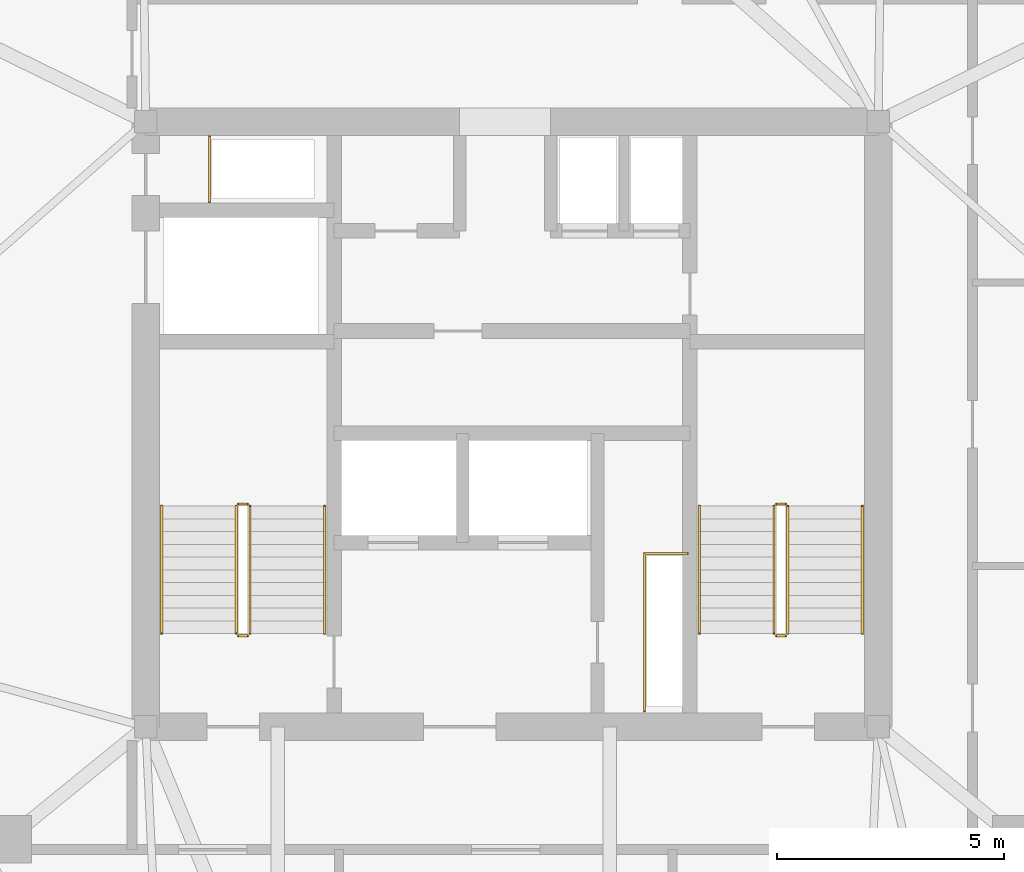
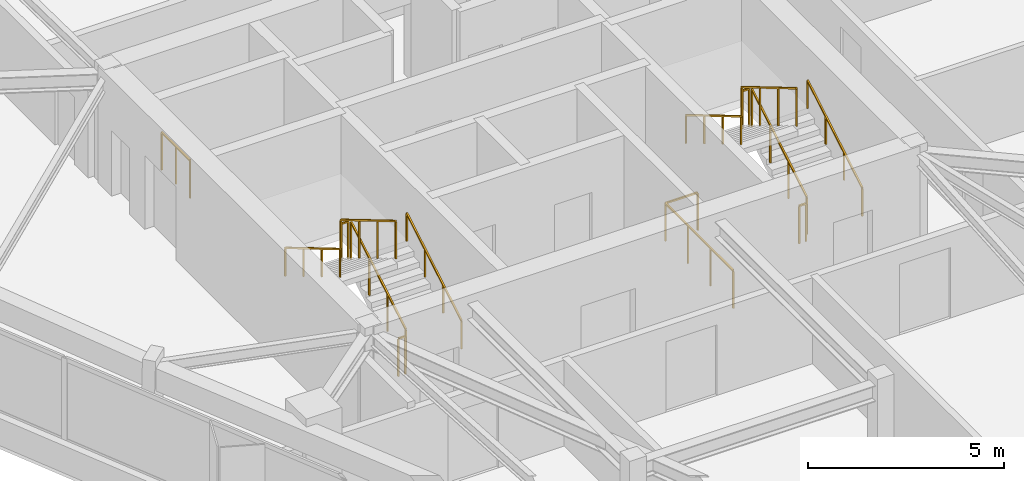
# One storey, part 9 of 9: 14 railings.
"""IFC4 building model written with IfcOpenShell, lengths in metres."""

import ifcopenshell
import ifcopenshell.guid

model = None  # the IFC model being written
_history = None  # IfcOwnerHistory: only IFC2X3 demands one
_inside = {}  # id of a spatial element -> (the spatial element, [elements in it])
_under = {}  # id of a project, library or spatial element -> (it, [spatial elements below it])
_declared = {}  # id of a project -> (the project, [libraries it declares])
_typed = {}  # id of a type object -> (the type object, [elements of that type])
_made_of = {}  # id of a material, layer set ... -> (it, [elements and type objects made of it])


def new_model(schema):
    """Start an empty IFC model of exactly this schema.

    Asked for "IFC4X3", IfcOpenShell would pick the latest addendum, in which some entities
    have other attributes; the version numbers below select the first issue.
    IFC2X3 requires an IfcOwnerHistory on every rooted entity: one is made here for all.
    """
    global model, _history
    if schema == "IFC4X3":
        model = ifcopenshell.file(schema_version=(4, 3, 0, 0))
    else:
        model = ifcopenshell.file(schema=schema)
    _inside.clear()
    _under.clear()
    _declared.clear()
    _typed.clear()
    _made_of.clear()
    _history = None
    if model.schema == "IFC2X3":
        org = make("IfcOrganization", Name="unknown")
        user = make(
            "IfcPersonAndOrganization",
            ThePerson=make("IfcPerson", FamilyName="unknown"),
            TheOrganization=org,
        )
        app = make(
            "IfcApplication",
            ApplicationDeveloper=org,
            Version="unknown",
            ApplicationFullName="unknown",
            ApplicationIdentifier="unknown",
        )
        _history = make(
            "IfcOwnerHistory",
            OwningUser=user,
            OwningApplication=app,
            ChangeAction="ADDED",
            CreationDate=0,
        )
    return model


def make(cls, **values):
    """One entity of the class cls with the attributes given. An attribute that is None is left unset."""
    return model.create_entity(
        cls, **{name: value for name, value in values.items() if value is not None}
    )


def rooted(cls, **values):
    """An entity with a GlobalId (a new one), such as an element, a storey or a relation."""
    return make(cls, GlobalId=ifcopenshell.guid.new(), OwnerHistory=_history, **values)


def si_unit(unit_type, name, prefix=None):
    """IfcSIUnit, for example si_unit("LENGTHUNIT", "METRE", prefix="MILLI")."""
    return make("IfcSIUnit", UnitType=unit_type, Prefix=prefix, Name=name)


def assignment(units):
    """IfcUnitAssignment: the units of a project."""
    return None if units is None else make("IfcUnitAssignment", Units=units)


def point(xyz):
    """IfcCartesianPoint."""
    return None if xyz is None else make("IfcCartesianPoint", Coordinates=xyz)


def direction(xyz):
    """IfcDirection."""
    return None if xyz is None else make("IfcDirection", DirectionRatios=xyz)


def frame(location, z_axis=None, x_axis=None):
    """IfcAxis2Placement3D, a coordinate frame: its origin and axes. An axis left out is left unset."""
    return make(
        "IfcAxis2Placement3D",
        Location=point(location),
        Axis=direction(z_axis),
        RefDirection=direction(x_axis),
    )


def frame_2d(location, x_axis=None):
    """IfcAxis2Placement2D, a coordinate frame in the plane: its origin and x axis."""
    return make(
        "IfcAxis2Placement2D", Location=point(location), RefDirection=direction(x_axis)
    )


def origin():
    """The frame at (0, 0, 0) with its axes left unset."""
    return frame((0.0, 0.0, 0.0))


def origin_2d():
    """The frame at (0, 0) in the plane with its x axis left unset."""
    return frame_2d((0.0, 0.0))


def place(relative_to, where):
    """IfcLocalPlacement: puts the frame where relative to a parent placement (None: the world)."""
    return make(
        "IfcLocalPlacement", PlacementRelTo=relative_to, RelativePlacement=where
    )


def context(
    kind, dimensions, precision=None, world=None, true_north=None, identifier=None
):
    """IfcGeometricRepresentationContext, for example the 3D "Model" context."""
    return make(
        "IfcGeometricRepresentationContext",
        ContextIdentifier=identifier,
        ContextType=kind,
        CoordinateSpaceDimension=dimensions,
        Precision=precision,
        WorldCoordinateSystem=world,
        TrueNorth=true_north,
    )


def subcontext(parent, identifier, kind, view, scale=None):
    """IfcGeometricRepresentationSubContext, for example "Body" below "Model"."""
    return make(
        "IfcGeometricRepresentationSubContext",
        ContextIdentifier=identifier,
        ContextType=kind,
        ParentContext=parent,
        TargetScale=scale,
        TargetView=view,
    )


def project(units=None, contexts=None):
    """IfcProject with its units and contexts."""
    return rooted(
        "IfcProject",
        Name="project",
        RepresentationContexts=contexts,
        UnitsInContext=assignment(units),
    )


def spatial(cls, under=None, at=None, **own):
    """A site, building, storey or space (cls), placed at a placement, below another one or the project."""
    s = rooted(cls, ObjectPlacement=at, **own)
    if under is not None:
        _under.setdefault(under.id(), (under, []))[1].append(s)
    return s


def profile(cls, at=None, kind="AREA", **sizes):
    """A parametric profile (cls). Its sizes go by their IFC names, for example OverallWidth=200.0."""
    return make(cls, ProfileType=kind, Position=at, **sizes)


def rectangle(**sizes):
    """IfcRectangleProfileDef."""
    return profile("IfcRectangleProfileDef", **sizes)


def extrude(swept, where, along, depth):
    """IfcExtrudedAreaSolid: the profile swept, set in the frame where, extruded along a direction by depth."""
    return make(
        "IfcExtrudedAreaSolid",
        SweptArea=swept,
        Position=where,
        ExtrudedDirection=direction(along),
        Depth=depth,
    )


def shape(context_of_items, identifier, shape_type, items):
    """IfcShapeRepresentation: the items that make up one representation, for example the "Body"."""
    return make(
        "IfcShapeRepresentation",
        ContextOfItems=context_of_items,
        RepresentationIdentifier=identifier,
        RepresentationType=shape_type,
        Items=items,
    )


def material(Name=None, Category=None):
    """IfcMaterial."""
    return make("IfcMaterial", Name=Name, Category=Category)


def made_of(thing, what):
    """Note that an element or type object is made of a material, layer set ...; save() writes the relation."""
    if what is not None:
        _made_of.setdefault(what.id(), (what, []))[1].append(thing)
    return thing


def type_object(cls, material=None, **own):
    """A type object (cls), such as IfcWallType, which elements share."""
    return made_of(rooted(cls, **own), material)


def element(
    cls,
    number,
    at=None,
    inside=None,
    cuts=None,
    type_object=None,
    material=None,
    context=None,
    identifier="Body",
    shape_type=None,
    held_by="IfcProductDefinitionShape",
    body=None,
    shapes=None,
    **own,
):
    """One element of the class cls, such as IfcWall. Its Tag is "e" and its number.

    at: its placement. inside: the storey or other place that contains it. cuts: it is an
    opening in that element (IfcRelVoidsElement). A single representation is given by context,
    identifier, shape_type and body (its items); several are given by shapes. held_by: the class
    of the entity that holds the representations. save() writes the other relations.
    """
    e = rooted(cls, Tag="e%d" % number, ObjectPlacement=at, **own)
    if body is not None:
        shapes = [shape(context, identifier, shape_type, body)]
    if shapes is not None:
        e.Representation = make(held_by, Representations=shapes)
    if inside is not None:
        _inside.setdefault(inside.id(), (inside, []))[1].append(e)
    if cuts is not None:
        rooted(
            "IfcRelVoidsElement", RelatingBuildingElement=cuts, RelatedOpeningElement=e
        )
    if type_object is not None:
        _typed.setdefault(type_object.id(), (type_object, []))[1].append(e)
    return made_of(e, material)


def aggregate(whole, parts):
    """IfcRelAggregates: a whole, such as a stair, and the parts it consists of."""
    return rooted("IfcRelAggregates", RelatingObject=whole, RelatedObjects=parts)


def save(model, path):
    """Write the relations noted so far, then the file.

    IfcRelAggregates (storeys below a building ...), IfcRelContainedInSpatialStructure (elements
    in a storey), IfcRelDefinesByType, IfcRelAssociatesMaterial and IfcRelDeclares: one each for
    every whole, place, type object, material and project.
    """
    for whole, parts in _under.values():
        aggregate(whole, parts)
    for where, things in _inside.values():
        rooted(
            "IfcRelContainedInSpatialStructure",
            RelatedElements=things,
            RelatingStructure=where,
        )
    for kind, things in _typed.values():
        rooted("IfcRelDefinesByType", RelatedObjects=things, RelatingType=kind)
    for what, things in _made_of.values():
        rooted("IfcRelAssociatesMaterial", RelatedObjects=things, RelatingMaterial=what)
    for by, libraries in _declared.values():
        rooted("IfcRelDeclares", RelatingContext=by, RelatedDefinitions=libraries)
    model.write(path)


model = new_model("IFC4")

# Units and contexts
model_context = context("Model", 3, precision=1e-05, world=origin(), true_north=direction((0.0, 1.0)))
body_context = subcontext(model_context, "Body", "Model", "MODEL_VIEW")
ifc_project = project(units=[si_unit("LENGTHUNIT", "METRE"), si_unit("AREAUNIT", "SQUARE_METRE"), si_unit("VOLUMEUNIT", "CUBIC_METRE"), si_unit("PLANEANGLEUNIT", "RADIAN"), si_unit("MASSUNIT", "GRAM", prefix="KILO")], contexts=[model_context])

# Site, building, storey
site_placement = place(None, origin())
site = spatial("IfcSite", under=ifc_project, at=site_placement, CompositionType="ELEMENT")
building_placement = place(site_placement, origin())
building = spatial("IfcBuilding", under=site, at=building_placement, Name="Talyreon Biosciences Tower", CompositionType="ELEMENT")
storey_placement = place(building_placement, frame((0.0, 0.0, 298.39990234375)))
storey = spatial("IfcBuildingStorey", under=building, at=storey_placement, Name="L79", CompositionType="ELEMENT", Elevation=298.39990234375)

# Railings
ifc_material_1 = material(Name="Brushed stainless-steel tubular handrail", Category="steel")
railing_type_1 = type_object("IfcRailingType", Name="StairWallHandrail_900", PredefinedType="HANDRAIL", material=ifc_material_1)
railing_1_placement = place(storey_placement, frame((61.8798828125, 63.39990234375, 0.166015625)))
element("IfcRailing", 1, at=railing_1_placement, inside=storey, type_object=railing_type_1, Name="L79 ST-1 stair handrail 1", PredefinedType="HANDRAIL", context=body_context, shape_type="SweptSolid", body=[
    extrude(rectangle(XDim=0.048095703125, YDim=0.048095703125, at=origin_2d()), frame((0.0, 0.0, 0.8759765625), z_axis=(0.0, 0.860306154799, 0.50977771628), x_axis=(-1.0, 0.0, 0.0)), (0.0, 0.0, 1.0), 3.254638671875),
    extrude(rectangle(XDim=0.0419921875, YDim=0.0419921875, at=origin_2d()), origin(), (0.0, 0.0, 1.0), 0.851806640625),
    extrude(rectangle(XDim=0.0419921875, YDim=0.0419921875, at=origin_2d()), frame((0.0, 0.933349609375, 0.552978515625)), (0.0, 0.0, 1.0), 0.851806640625),
    extrude(rectangle(XDim=0.0419921875, YDim=0.0419921875, at=origin_2d()), frame((0.0, 1.86669921875, 1.106201171875)), (0.0, 0.0, 1.0), 0.851806640625),
    extrude(rectangle(XDim=0.0419921875, YDim=0.0419921875, at=origin_2d()), frame((0.0, 2.800048828125, 1.6591796875)), (0.0, 0.0, 1.0), 0.851806640625),
])
railing_2_placement = place(storey_placement, frame((58.300048828125, 66.199951171875, 1.990966796875)))
element("IfcRailing", 2, at=railing_2_placement, inside=storey, type_object=railing_type_1, Name="L79 ST-1 stair handrail 2", PredefinedType="HANDRAIL", context=body_context, shape_type="SweptSolid", body=[
    extrude(rectangle(XDim=0.048095703125, YDim=0.048095703125, at=origin_2d()), frame((0.0, 0.0, 0.8759765625), z_axis=(0.0, -0.860306154799, 0.50977771628), x_axis=(1.0, 0.0, 0.0)), (0.0, 0.0, 1.0), 3.254638671875),
    extrude(rectangle(XDim=0.0419921875, YDim=0.0419921875, at=origin_2d()), origin(), (0.0, 0.0, 1.0), 0.851806640625),
    extrude(rectangle(XDim=0.0419921875, YDim=0.0419921875, at=origin_2d()), frame((0.0, -0.933349609375, 0.552978515625)), (0.0, 0.0, 1.0), 0.851806640625),
    extrude(rectangle(XDim=0.0419921875, YDim=0.0419921875, at=origin_2d()), frame((0.0, -1.86669921875, 1.106201171875)), (0.0, 0.0, 1.0), 0.851806640625),
    extrude(rectangle(XDim=0.0419921875, YDim=0.0419921875, at=origin_2d()), frame((0.0, -2.800048828125, 1.6591796875)), (0.0, 0.0, 1.0), 0.851806640625),
])
railing_3_placement = place(storey_placement, frame((73.699951171875, 63.39990234375, 0.166015625)))
element("IfcRailing", 3, at=railing_3_placement, inside=storey, type_object=railing_type_1, Name="L79 ST-2 stair handrail 1", PredefinedType="HANDRAIL", context=body_context, shape_type="SweptSolid", body=[
    extrude(rectangle(XDim=0.048095703125, YDim=0.048095703125, at=origin_2d()), frame((0.0, 0.0, 0.8759765625), z_axis=(0.0, 0.860306154799, 0.50977771628), x_axis=(-1.0, 0.0, 0.0)), (0.0, 0.0, 1.0), 3.254638671875),
    extrude(rectangle(XDim=0.0419921875, YDim=0.0419921875, at=origin_2d()), origin(), (0.0, 0.0, 1.0), 0.851806640625),
    extrude(rectangle(XDim=0.0419921875, YDim=0.0419921875, at=origin_2d()), frame((0.0, 0.933349609375, 0.552978515625)), (0.0, 0.0, 1.0), 0.851806640625),
    extrude(rectangle(XDim=0.0419921875, YDim=0.0419921875, at=origin_2d()), frame((0.0, 1.86669921875, 1.106201171875)), (0.0, 0.0, 1.0), 0.851806640625),
    extrude(rectangle(XDim=0.0419921875, YDim=0.0419921875, at=origin_2d()), frame((0.0, 2.800048828125, 1.6591796875)), (0.0, 0.0, 1.0), 0.851806640625),
])
railing_4_placement = place(storey_placement, frame((70.1201171875, 66.199951171875, 1.990966796875)))
element("IfcRailing", 4, at=railing_4_placement, inside=storey, type_object=railing_type_1, Name="L79 ST-2 stair handrail 2", PredefinedType="HANDRAIL", context=body_context, shape_type="SweptSolid", body=[
    extrude(rectangle(XDim=0.048095703125, YDim=0.048095703125, at=origin_2d()), frame((0.0, 0.0, 0.8759765625), z_axis=(0.0, -0.860306154799, 0.50977771628), x_axis=(1.0, 0.0, 0.0)), (0.0, 0.0, 1.0), 3.254638671875),
    extrude(rectangle(XDim=0.0419921875, YDim=0.0419921875, at=origin_2d()), origin(), (0.0, 0.0, 1.0), 0.851806640625),
    extrude(rectangle(XDim=0.0419921875, YDim=0.0419921875, at=origin_2d()), frame((0.0, -0.933349609375, 0.552978515625)), (0.0, 0.0, 1.0), 0.851806640625),
    extrude(rectangle(XDim=0.0419921875, YDim=0.0419921875, at=origin_2d()), frame((0.0, -1.86669921875, 1.106201171875)), (0.0, 0.0, 1.0), 0.851806640625),
    extrude(rectangle(XDim=0.0419921875, YDim=0.0419921875, at=origin_2d()), frame((0.0, -2.800048828125, 1.6591796875)), (0.0, 0.0, 1.0), 0.851806640625),
])
ifc_material_2 = material(Name="Painted galvanised steel post-and-rail balustrade", Category="steel")
railing_type_2 = type_object("IfcRailingType", Name="TerraceStairGuard_1200", PredefinedType="GUARDRAIL", material=ifc_material_2)
railing_5_placement = place(storey_placement, frame((60.239990234375, 63.39990234375, 0.166015625)))
element("IfcRailing", 5, at=railing_5_placement, inside=storey, type_object=railing_type_2, Name="L79 ST-1 stair guard 1", PredefinedType="GUARDRAIL", context=body_context, shape_type="SweptSolid", body=[
    extrude(rectangle(XDim=0.048095703125, YDim=0.048095703125, at=origin_2d()), frame((0.0, 0.0, 1.17578125), z_axis=(0.0, 0.860306154799, 0.50977771628), x_axis=(-1.0, 0.0, 0.0)), (0.0, 0.0, 1.0), 3.254638671875),
    extrude(rectangle(XDim=0.0419921875, YDim=0.0419921875, at=origin_2d()), origin(), (0.0, 0.0, 1.0), 1.15185546875),
    extrude(rectangle(XDim=0.0419921875, YDim=0.0419921875, at=origin_2d()), frame((0.0, 0.933349609375, 0.552978515625)), (0.0, 0.0, 1.0), 1.15185546875),
    extrude(rectangle(XDim=0.0419921875, YDim=0.0419921875, at=origin_2d()), frame((0.0, 1.86669921875, 1.106201171875)), (0.0, 0.0, 1.0), 1.15185546875),
    extrude(rectangle(XDim=0.0419921875, YDim=0.0419921875, at=origin_2d()), frame((0.0, 2.800048828125, 1.6591796875)), (0.0, 0.0, 1.0), 1.15185546875),
])
railing_6_placement = place(storey_placement, frame((60.18994140625, 66.25, 1.8251953125)))
element("IfcRailing", 6, at=railing_6_placement, inside=storey, type_object=railing_type_2, Name="L79 ST-1 stair guard 2", PredefinedType="GUARDRAIL", context=body_context, shape_type="SweptSolid", body=[
    extrude(rectangle(XDim=0.048095703125, YDim=0.048095703125, at=origin_2d()), frame((0.0, 0.0, 1.17578125), z_axis=(-1.0, 0.0, 0.0), x_axis=(0.0, -1.0, 0.0)), (0.0, 0.0, 1.0), 0.199951171875),
    extrude(rectangle(XDim=0.0419921875, YDim=0.0419921875, at=origin_2d()), origin(), (0.0, 0.0, 1.0), 1.15185546875),
    extrude(rectangle(XDim=0.0419921875, YDim=0.0419921875, at=origin_2d()), frame((-0.199951171875, 0.0, 0.0)), (0.0, 0.0, 1.0), 1.15185546875),
])
railing_7_placement = place(storey_placement, frame((59.93994140625, 66.199951171875, 1.990966796875)))
element("IfcRailing", 7, at=railing_7_placement, inside=storey, type_object=railing_type_2, Name="L79 ST-1 stair guard 3", PredefinedType="GUARDRAIL", context=body_context, shape_type="SweptSolid", body=[
    extrude(rectangle(XDim=0.048095703125, YDim=0.048095703125, at=origin_2d()), frame((0.0, 0.0, 1.17578125), z_axis=(0.0, -0.860306154799, 0.50977771628), x_axis=(1.0, 0.0, 0.0)), (0.0, 0.0, 1.0), 3.254638671875),
    extrude(rectangle(XDim=0.0419921875, YDim=0.0419921875, at=origin_2d()), origin(), (0.0, 0.0, 1.0), 1.15185546875),
    extrude(rectangle(XDim=0.0419921875, YDim=0.0419921875, at=origin_2d()), frame((0.0, -0.933349609375, 0.552978515625)), (0.0, 0.0, 1.0), 1.15185546875),
    extrude(rectangle(XDim=0.0419921875, YDim=0.0419921875, at=origin_2d()), frame((0.0, -1.86669921875, 1.106201171875)), (0.0, 0.0, 1.0), 1.15185546875),
    extrude(rectangle(XDim=0.0419921875, YDim=0.0419921875, at=origin_2d()), frame((0.0, -2.800048828125, 1.6591796875)), (0.0, 0.0, 1.0), 1.15185546875),
])
railing_8_placement = place(storey_placement, frame((60.18994140625, 63.35009765625, 0.0)))
element("IfcRailing", 8, at=railing_8_placement, inside=storey, type_object=railing_type_2, Name="L79 ST-1 stair guard 4", PredefinedType="GUARDRAIL", context=body_context, shape_type="SweptSolid", body=[
    extrude(rectangle(XDim=0.048095703125, YDim=0.048095703125, at=origin_2d()), frame((0.0, 0.0, 1.17578125), z_axis=(-1.0, 0.0, 0.0), x_axis=(0.0, -1.0, 0.0)), (0.0, 0.0, 1.0), 0.199951171875),
    extrude(rectangle(XDim=0.0419921875, YDim=0.0419921875, at=origin_2d()), origin(), (0.0, 0.0, 1.0), 1.15185546875),
    extrude(rectangle(XDim=0.0419921875, YDim=0.0419921875, at=origin_2d()), frame((-0.199951171875, 0.0, 0.0)), (0.0, 0.0, 1.0), 1.15185546875),
])
railing_9_placement = place(storey_placement, frame((72.06005859375, 63.39990234375, 0.166015625)))
element("IfcRailing", 9, at=railing_9_placement, inside=storey, type_object=railing_type_2, Name="L79 ST-2 stair guard 1", PredefinedType="GUARDRAIL", context=body_context, shape_type="SweptSolid", body=[
    extrude(rectangle(XDim=0.048095703125, YDim=0.048095703125, at=origin_2d()), frame((0.0, 0.0, 1.17578125), z_axis=(0.0, 0.860306154799, 0.50977771628), x_axis=(-1.0, 0.0, 0.0)), (0.0, 0.0, 1.0), 3.254638671875),
    extrude(rectangle(XDim=0.0419921875, YDim=0.0419921875, at=origin_2d()), origin(), (0.0, 0.0, 1.0), 1.15185546875),
    extrude(rectangle(XDim=0.0419921875, YDim=0.0419921875, at=origin_2d()), frame((0.0, 0.933349609375, 0.552978515625)), (0.0, 0.0, 1.0), 1.15185546875),
    extrude(rectangle(XDim=0.0419921875, YDim=0.0419921875, at=origin_2d()), frame((0.0, 1.86669921875, 1.106201171875)), (0.0, 0.0, 1.0), 1.15185546875),
    extrude(rectangle(XDim=0.0419921875, YDim=0.0419921875, at=origin_2d()), frame((0.0, 2.800048828125, 1.6591796875)), (0.0, 0.0, 1.0), 1.15185546875),
])
railing_10_placement = place(storey_placement, frame((72.010009765625, 66.25, 1.8251953125)))
element("IfcRailing", 10, at=railing_10_placement, inside=storey, type_object=railing_type_2, Name="L79 ST-2 stair guard 2", PredefinedType="GUARDRAIL", context=body_context, shape_type="SweptSolid", body=[
    extrude(rectangle(XDim=0.048095703125, YDim=0.048095703125, at=origin_2d()), frame((0.0, 0.0, 1.17578125), z_axis=(-1.0, 0.0, 0.0), x_axis=(0.0, -1.0, 0.0)), (0.0, 0.0, 1.0), 0.199951171875),
    extrude(rectangle(XDim=0.0419921875, YDim=0.0419921875, at=origin_2d()), origin(), (0.0, 0.0, 1.0), 1.15185546875),
    extrude(rectangle(XDim=0.0419921875, YDim=0.0419921875, at=origin_2d()), frame((-0.199951171875, 0.0, 0.0)), (0.0, 0.0, 1.0), 1.15185546875),
])
railing_11_placement = place(storey_placement, frame((71.760009765625, 66.199951171875, 1.990966796875)))
element("IfcRailing", 11, at=railing_11_placement, inside=storey, type_object=railing_type_2, Name="L79 ST-2 stair guard 3", PredefinedType="GUARDRAIL", context=body_context, shape_type="SweptSolid", body=[
    extrude(rectangle(XDim=0.048095703125, YDim=0.048095703125, at=origin_2d()), frame((0.0, 0.0, 1.17578125), z_axis=(0.0, -0.860306154799, 0.50977771628), x_axis=(1.0, 0.0, 0.0)), (0.0, 0.0, 1.0), 3.254638671875),
    extrude(rectangle(XDim=0.0419921875, YDim=0.0419921875, at=origin_2d()), origin(), (0.0, 0.0, 1.0), 1.15185546875),
    extrude(rectangle(XDim=0.0419921875, YDim=0.0419921875, at=origin_2d()), frame((0.0, -0.933349609375, 0.552978515625)), (0.0, 0.0, 1.0), 1.15185546875),
    extrude(rectangle(XDim=0.0419921875, YDim=0.0419921875, at=origin_2d()), frame((0.0, -1.86669921875, 1.106201171875)), (0.0, 0.0, 1.0), 1.15185546875),
    extrude(rectangle(XDim=0.0419921875, YDim=0.0419921875, at=origin_2d()), frame((0.0, -2.800048828125, 1.6591796875)), (0.0, 0.0, 1.0), 1.15185546875),
])
railing_12_placement = place(storey_placement, frame((72.010009765625, 63.35009765625, 0.0)))
element("IfcRailing", 12, at=railing_12_placement, inside=storey, type_object=railing_type_2, Name="L79 ST-2 stair guard 4", PredefinedType="GUARDRAIL", context=body_context, shape_type="SweptSolid", body=[
    extrude(rectangle(XDim=0.048095703125, YDim=0.048095703125, at=origin_2d()), frame((0.0, 0.0, 1.17578125), z_axis=(-1.0, 0.0, 0.0), x_axis=(0.0, -1.0, 0.0)), (0.0, 0.0, 1.0), 0.199951171875),
    extrude(rectangle(XDim=0.0419921875, YDim=0.0419921875, at=origin_2d()), origin(), (0.0, 0.0, 1.0), 1.15185546875),
    extrude(rectangle(XDim=0.0419921875, YDim=0.0419921875, at=origin_2d()), frame((-0.199951171875, 0.0, 0.0)), (0.0, 0.0, 1.0), 1.15185546875),
])
railing_13_placement = place(storey_placement, frame((59.35009765625, 72.8798828125, 0.0)))
element("IfcRailing", 13, at=railing_13_placement, inside=storey, type_object=railing_type_2, Name="L79 Exhaust Riser Maintenance Guardrail", PredefinedType="GUARDRAIL", context=body_context, shape_type="SweptSolid", body=[
    extrude(rectangle(XDim=0.048095703125, YDim=0.048095703125, at=origin_2d()), frame((0.0, 0.0, 1.17578125), z_axis=(0.0, 1.0, 0.0), x_axis=(-1.0, 0.0, 0.0)), (0.0, 0.0, 1.0), 1.4501953125),
    extrude(rectangle(XDim=0.0419921875, YDim=0.0419921875, at=origin_2d()), origin(), (0.0, 0.0, 1.0), 1.15185546875),
    extrude(rectangle(XDim=0.0419921875, YDim=0.0419921875, at=origin_2d()), frame((0.0, 0.72509765625, 0.0)), (0.0, 0.0, 1.0), 1.15185546875),
    extrude(rectangle(XDim=0.0419921875, YDim=0.0419921875, at=origin_2d()), frame((0.0, 1.4501953125, 0.0)), (0.0, 0.0, 1.0), 1.15185546875),
])
railing_14_placement = place(storey_placement, frame((68.909912109375, 61.699951171875, 0.0)))
element("IfcRailing", 14, at=railing_14_placement, inside=storey, type_object=railing_type_2, Name="L79 Electrical Riser Maintenance Guardrail", PredefinedType="GUARDRAIL", context=body_context, shape_type="SweptSolid", body=[
    extrude(rectangle(XDim=0.048095703125, YDim=0.048095703125, at=origin_2d()), frame((0.0, 0.0, 1.17578125), z_axis=(0.0, 1.0, 0.0), x_axis=(-1.0, 0.0, 0.0)), (0.0, 0.0, 1.0), 3.4599609375),
    extrude(rectangle(XDim=0.048095703125, YDim=0.048095703125, at=origin_2d()), frame((0.0, 3.4599609375, 1.17578125), z_axis=(1.0, 0.0, 0.0), x_axis=(0.0, 1.0, 0.0)), (0.0, 0.0, 1.0), 0.9501953125),
    extrude(rectangle(XDim=0.0419921875, YDim=0.0419921875, at=origin_2d()), origin(), (0.0, 0.0, 1.0), 1.15185546875),
    extrude(rectangle(XDim=0.0419921875, YDim=0.0419921875, at=origin_2d()), frame((0.0, 1.1533203125, 0.0)), (0.0, 0.0, 1.0), 1.15185546875),
    extrude(rectangle(XDim=0.0419921875, YDim=0.0419921875, at=origin_2d()), frame((0.0, 2.306640625, 0.0)), (0.0, 0.0, 1.0), 1.15185546875),
    extrude(rectangle(XDim=0.0419921875, YDim=0.0419921875, at=origin_2d()), frame((0.0, 3.4599609375, 0.0)), (0.0, 0.0, 1.0), 1.15185546875),
    extrude(rectangle(XDim=0.0419921875, YDim=0.0419921875, at=origin_2d()), frame((0.9501953125, 3.4599609375, 0.0)), (0.0, 0.0, 1.0), 1.15185546875),
])

save(model, "model.ifc")
